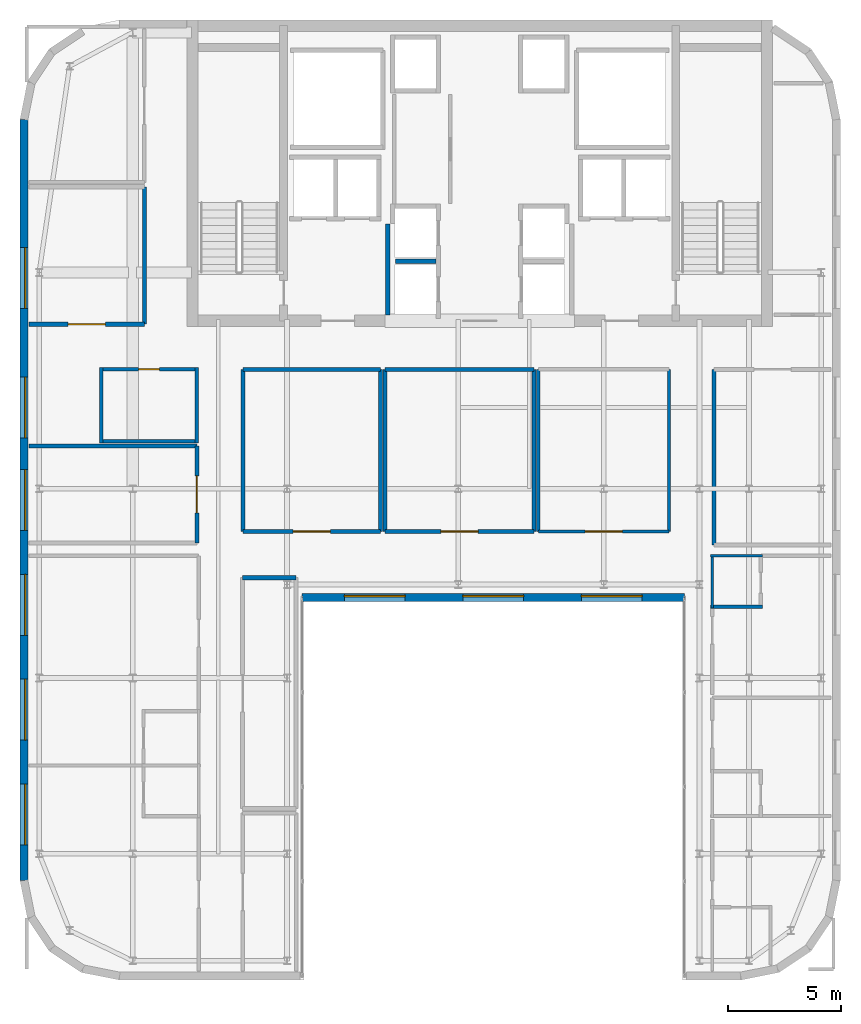
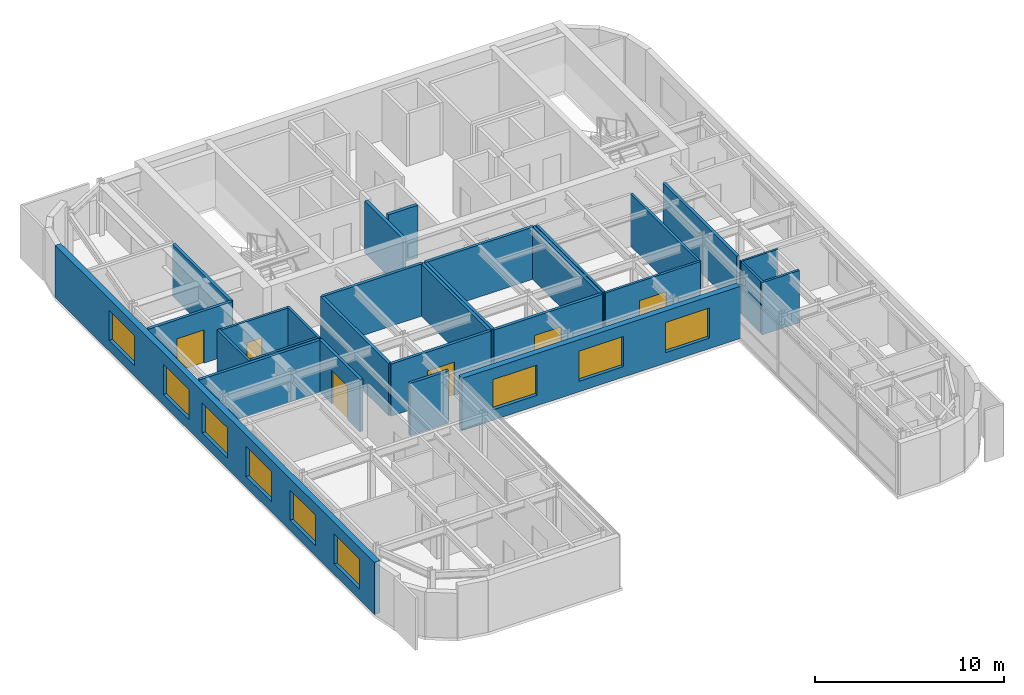
# One storey, part 14 of 18: 28 walls, 9 windows, 6 doors, 15 openings.
"""IFC4 building model written with IfcOpenShell, lengths in metres."""

import ifcopenshell
import ifcopenshell.guid

model = None  # the IFC model being written
_history = None  # IfcOwnerHistory: only IFC2X3 demands one
_inside = {}  # id of a spatial element -> (the spatial element, [elements in it])
_under = {}  # id of a project, library or spatial element -> (it, [spatial elements below it])
_declared = {}  # id of a project -> (the project, [libraries it declares])
_typed = {}  # id of a type object -> (the type object, [elements of that type])
_made_of = {}  # id of a material, layer set ... -> (it, [elements and type objects made of it])


def new_model(schema):
    """Start an empty IFC model of exactly this schema.

    Asked for "IFC4X3", IfcOpenShell would pick the latest addendum, in which some entities
    have other attributes; the version numbers below select the first issue.
    IFC2X3 requires an IfcOwnerHistory on every rooted entity: one is made here for all.
    """
    global model, _history
    if schema == "IFC4X3":
        model = ifcopenshell.file(schema_version=(4, 3, 0, 0))
    else:
        model = ifcopenshell.file(schema=schema)
    _inside.clear()
    _under.clear()
    _declared.clear()
    _typed.clear()
    _made_of.clear()
    _history = None
    if model.schema == "IFC2X3":
        org = make("IfcOrganization", Name="unknown")
        user = make(
            "IfcPersonAndOrganization",
            ThePerson=make("IfcPerson", FamilyName="unknown"),
            TheOrganization=org,
        )
        app = make(
            "IfcApplication",
            ApplicationDeveloper=org,
            Version="unknown",
            ApplicationFullName="unknown",
            ApplicationIdentifier="unknown",
        )
        _history = make(
            "IfcOwnerHistory",
            OwningUser=user,
            OwningApplication=app,
            ChangeAction="ADDED",
            CreationDate=0,
        )
    return model


def make(cls, **values):
    """One entity of the class cls with the attributes given. An attribute that is None is left unset."""
    return model.create_entity(
        cls, **{name: value for name, value in values.items() if value is not None}
    )


def rooted(cls, **values):
    """An entity with a GlobalId (a new one), such as an element, a storey or a relation."""
    return make(cls, GlobalId=ifcopenshell.guid.new(), OwnerHistory=_history, **values)


def si_unit(unit_type, name, prefix=None):
    """IfcSIUnit, for example si_unit("LENGTHUNIT", "METRE", prefix="MILLI")."""
    return make("IfcSIUnit", UnitType=unit_type, Prefix=prefix, Name=name)


def assignment(units):
    """IfcUnitAssignment: the units of a project."""
    return None if units is None else make("IfcUnitAssignment", Units=units)


def point(xyz):
    """IfcCartesianPoint."""
    return None if xyz is None else make("IfcCartesianPoint", Coordinates=xyz)


def direction(xyz):
    """IfcDirection."""
    return None if xyz is None else make("IfcDirection", DirectionRatios=xyz)


def frame(location, z_axis=None, x_axis=None):
    """IfcAxis2Placement3D, a coordinate frame: its origin and axes. An axis left out is left unset."""
    return make(
        "IfcAxis2Placement3D",
        Location=point(location),
        Axis=direction(z_axis),
        RefDirection=direction(x_axis),
    )


def frame_2d(location, x_axis=None):
    """IfcAxis2Placement2D, a coordinate frame in the plane: its origin and x axis."""
    return make(
        "IfcAxis2Placement2D", Location=point(location), RefDirection=direction(x_axis)
    )


def origin():
    """The frame at (0, 0, 0) with its axes left unset."""
    return frame((0.0, 0.0, 0.0))


def place(relative_to, where):
    """IfcLocalPlacement: puts the frame where relative to a parent placement (None: the world)."""
    return make(
        "IfcLocalPlacement", PlacementRelTo=relative_to, RelativePlacement=where
    )


def context(
    kind, dimensions, precision=None, world=None, true_north=None, identifier=None
):
    """IfcGeometricRepresentationContext, for example the 3D "Model" context."""
    return make(
        "IfcGeometricRepresentationContext",
        ContextIdentifier=identifier,
        ContextType=kind,
        CoordinateSpaceDimension=dimensions,
        Precision=precision,
        WorldCoordinateSystem=world,
        TrueNorth=true_north,
    )


def subcontext(parent, identifier, kind, view, scale=None):
    """IfcGeometricRepresentationSubContext, for example "Body" below "Model"."""
    return make(
        "IfcGeometricRepresentationSubContext",
        ContextIdentifier=identifier,
        ContextType=kind,
        ParentContext=parent,
        TargetScale=scale,
        TargetView=view,
    )


def project(units=None, contexts=None):
    """IfcProject with its units and contexts."""
    return rooted(
        "IfcProject",
        Name="project",
        RepresentationContexts=contexts,
        UnitsInContext=assignment(units),
    )


def spatial(cls, under=None, at=None, **own):
    """A site, building, storey or space (cls), placed at a placement, below another one or the project."""
    s = rooted(cls, ObjectPlacement=at, **own)
    if under is not None:
        _under.setdefault(under.id(), (under, []))[1].append(s)
    return s


def profile(cls, at=None, kind="AREA", **sizes):
    """A parametric profile (cls). Its sizes go by their IFC names, for example OverallWidth=200.0."""
    return make(cls, ProfileType=kind, Position=at, **sizes)


def rectangle(**sizes):
    """IfcRectangleProfileDef."""
    return profile("IfcRectangleProfileDef", **sizes)


def extrude(swept, where, along, depth):
    """IfcExtrudedAreaSolid: the profile swept, set in the frame where, extruded along a direction by depth."""
    return make(
        "IfcExtrudedAreaSolid",
        SweptArea=swept,
        Position=where,
        ExtrudedDirection=direction(along),
        Depth=depth,
    )


def shape(context_of_items, identifier, shape_type, items):
    """IfcShapeRepresentation: the items that make up one representation, for example the "Body"."""
    return make(
        "IfcShapeRepresentation",
        ContextOfItems=context_of_items,
        RepresentationIdentifier=identifier,
        RepresentationType=shape_type,
        Items=items,
    )


def source(mapping_origin, context_of_items, identifier, shape_type, items):
    """IfcRepresentationMap: a shape defined once, which mapped items show again and again."""
    return make(
        "IfcRepresentationMap",
        MappingOrigin=mapping_origin,
        MappedRepresentation=shape(context_of_items, identifier, shape_type, items),
    )


def transform(
    local_origin,
    x_axis=None,
    y_axis=None,
    z_axis=None,
    scale=None,
    scale2=None,
    scale3=None,
    uniform=True,
):
    """IfcCartesianTransformationOperator3D, or its non-uniform kind. x_axis, y_axis, z_axis: its Axis1, 2, 3."""
    if uniform:
        return make(
            "IfcCartesianTransformationOperator3D",
            Axis1=direction(x_axis),
            Axis2=direction(y_axis),
            LocalOrigin=point(local_origin),
            Scale=scale,
            Axis3=direction(z_axis),
        )
    return make(
        "IfcCartesianTransformationOperator3DnonUniform",
        Axis1=direction(x_axis),
        Axis2=direction(y_axis),
        LocalOrigin=point(local_origin),
        Scale=scale,
        Axis3=direction(z_axis),
        Scale2=scale2,
        Scale3=scale3,
    )


def mapped(mapping_source, mapping_target):
    """IfcMappedItem: shows the shape of a source again, moved by a transform."""
    return make(
        "IfcMappedItem", MappingSource=mapping_source, MappingTarget=mapping_target
    )


def material(Name=None, Category=None):
    """IfcMaterial."""
    return make("IfcMaterial", Name=Name, Category=Category)


def layer(
    of_material, thickness, ventilated=None, Name=None, Category=None, Priority=None
):
    """IfcMaterialLayer: one layer of a wall or slab, of a material (None: an air gap)."""
    return make(
        "IfcMaterialLayer",
        Material=of_material,
        LayerThickness=thickness,
        IsVentilated=ventilated,
        Name=Name,
        Category=Category,
        Priority=Priority,
    )


def layer_set(layers, Name=None):
    """IfcMaterialLayerSet."""
    return make("IfcMaterialLayerSet", MaterialLayers=layers, LayerSetName=Name)


def made_of(thing, what):
    """Note that an element or type object is made of a material, layer set ...; save() writes the relation."""
    if what is not None:
        _made_of.setdefault(what.id(), (what, []))[1].append(thing)
    return thing


def type_object(cls, material=None, **own):
    """A type object (cls), such as IfcWallType, which elements share."""
    return made_of(rooted(cls, **own), material)


def type_shapes(of_type, sources):
    """Give a type object the sources (RepresentationMaps) that its elements show as mapped items."""
    of_type.RepresentationMaps = sources


def element(
    cls,
    number,
    at=None,
    inside=None,
    cuts=None,
    type_object=None,
    material=None,
    context=None,
    identifier="Body",
    shape_type=None,
    held_by="IfcProductDefinitionShape",
    body=None,
    shapes=None,
    **own,
):
    """One element of the class cls, such as IfcWall. Its Tag is "e" and its number.

    at: its placement. inside: the storey or other place that contains it. cuts: it is an
    opening in that element (IfcRelVoidsElement). A single representation is given by context,
    identifier, shape_type and body (its items); several are given by shapes. held_by: the class
    of the entity that holds the representations. save() writes the other relations.
    """
    e = rooted(cls, Tag="e%d" % number, ObjectPlacement=at, **own)
    if body is not None:
        shapes = [shape(context, identifier, shape_type, body)]
    if shapes is not None:
        e.Representation = make(held_by, Representations=shapes)
    if inside is not None:
        _inside.setdefault(inside.id(), (inside, []))[1].append(e)
    if cuts is not None:
        rooted(
            "IfcRelVoidsElement", RelatingBuildingElement=cuts, RelatedOpeningElement=e
        )
    if type_object is not None:
        _typed.setdefault(type_object.id(), (type_object, []))[1].append(e)
    return made_of(e, material)


def fill(opening, filler):
    """IfcRelFillsElement: the door or window that sits in an opening."""
    return rooted(
        "IfcRelFillsElement",
        RelatingOpeningElement=opening,
        RelatedBuildingElement=filler,
    )


def aggregate(whole, parts):
    """IfcRelAggregates: a whole, such as a stair, and the parts it consists of."""
    return rooted("IfcRelAggregates", RelatingObject=whole, RelatedObjects=parts)


def save(model, path):
    """Write the relations noted so far, then the file.

    IfcRelAggregates (storeys below a building ...), IfcRelContainedInSpatialStructure (elements
    in a storey), IfcRelDefinesByType, IfcRelAssociatesMaterial and IfcRelDeclares: one each for
    every whole, place, type object, material and project.
    """
    for whole, parts in _under.values():
        aggregate(whole, parts)
    for where, things in _inside.values():
        rooted(
            "IfcRelContainedInSpatialStructure",
            RelatedElements=things,
            RelatingStructure=where,
        )
    for kind, things in _typed.values():
        rooted("IfcRelDefinesByType", RelatedObjects=things, RelatingType=kind)
    for what, things in _made_of.values():
        rooted("IfcRelAssociatesMaterial", RelatedObjects=things, RelatingMaterial=what)
    for by, libraries in _declared.values():
        rooted("IfcRelDeclares", RelatingContext=by, RelatedDefinitions=libraries)
    model.write(path)


model = new_model("IFC4")

# Units and contexts
model_context = context("Model", 3, precision=1e-05, world=origin(), true_north=direction((0.0, 1.0)))
body_context = subcontext(model_context, "Body", "Model", "MODEL_VIEW")
ifc_project = project(units=[si_unit("LENGTHUNIT", "METRE"), si_unit("AREAUNIT", "SQUARE_METRE"), si_unit("VOLUMEUNIT", "CUBIC_METRE"), si_unit("PLANEANGLEUNIT", "RADIAN"), si_unit("MASSUNIT", "GRAM", prefix="KILO")], contexts=[model_context])

# Site, building, storey
site_placement = place(None, origin())
site = spatial("IfcSite", under=ifc_project, at=site_placement, CompositionType="ELEMENT")
building_placement = place(site_placement, origin())
building = spatial("IfcBuilding", under=site, at=building_placement, Name="Tolvann Quenvar Hotel", CompositionType="ELEMENT")
storey_placement = place(building_placement, frame((0.0, 0.0, 252.300048828125)))
storey = spatial("IfcBuildingStorey", under=building, at=storey_placement, Name="L67", CompositionType="ELEMENT", Elevation=252.300048828125)

# Wall, openings, windows
ifc_material_1 = material(Name="Kiln-fired red and buff architectural clay brickwork and terracotta masonry", Category="masonry")
ifc_layer_1 = layer(ifc_material_1, 0.35009765625)
ifc_layer_set_1 = layer_set([ifc_layer_1], Name="Kiln-fired red and buff architectural clay brickwork and terracotta masonry")
wall_type_1 = type_object("IfcWallType", Name="WALL_EXT_BRICK_350", PredefinedType="SOLIDWALL", material=ifc_layer_set_1)
wall_1_placement = place(storey_placement, frame((15.110107421875, 19.574951171875, 0.0), z_axis=(0.0, 0.0, 1.0), x_axis=(1.0, 0.0, 0.0)))
wall_1 = element("IfcWall", 1, at=wall_1_placement, inside=storey, type_object=wall_type_1, Name="Exterior Chicago Brick Wall L67-E06", PredefinedType="SOLIDWALL", context=body_context, shape_type="SweptSolid", body=[
    extrude(rectangle(XDim=16.97998046875, YDim=0.35009765625, at=frame_2d((8.489990234375, 0.0))), origin(), (0.0, 0.0, 1.0), 3.369873046875),
])
opening_1_placement = place(wall_1_placement, frame((1.8798828125, 0.0, 0.679931640625)))
opening_1 = element("IfcOpeningElement", 2, at=opening_1_placement, cuts=wall_1, Name="Opening W-04", PredefinedType="OPENING", context=body_context, shape_type="SweptSolid", body=[
    extrude(rectangle(XDim=2.699951171875, YDim=1.949951171875, at=frame_2d((1.35009765625, 0.97509765625))), frame((0.0, 0.18505859375, 0.0), z_axis=(0.0, -1.0, 0.0), x_axis=(1.0, 0.0, 0.0)), (0.0, 0.0, 1.0), 0.3701171875),
])
opening_2_placement = place(wall_1_placement, frame((7.139892578125, 0.0, 0.679931640625)))
opening_2 = element("IfcOpeningElement", 3, at=opening_2_placement, cuts=wall_1, Name="Opening W-04", PredefinedType="OPENING", context=body_context, shape_type="SweptSolid", body=[
    extrude(rectangle(XDim=2.699951171875, YDim=1.949951171875, at=frame_2d((1.35009765625, 0.97509765625))), frame((0.0, 0.18505859375, 0.0), z_axis=(0.0, -1.0, 0.0), x_axis=(1.0, 0.0, 0.0)), (0.0, 0.0, 1.0), 0.3701171875),
])
opening_3_placement = place(wall_1_placement, frame((12.39990234375, 0.0, 0.679931640625)))
opening_3 = element("IfcOpeningElement", 4, at=opening_3_placement, cuts=wall_1, Name="Opening W-04", PredefinedType="OPENING", context=body_context, shape_type="SweptSolid", body=[
    extrude(rectangle(XDim=2.699951171875, YDim=1.949951171875, at=frame_2d((1.35009765625, 0.97509765625))), frame((0.0, 0.18505859375, 0.0), z_axis=(0.0, -1.0, 0.0), x_axis=(1.0, 0.0, 0.0)), (0.0, 0.0, 1.0), 0.3701171875),
])
ifc_material_2 = material(Name="Thermally broken bronze-anodised aluminium frame with double low-E glazing", Category="aluminium")
window_type = type_object("IfcWindowType", Name="WIN_STE_2700x2150", PartitioningType="TRIPLE_PANEL_HORIZONTAL", PredefinedType="WINDOW", material=ifc_material_2)
shared_shape_1 = source(origin(), body_context, "Body", "SweptSolid", [
    extrude(rectangle(XDim=2.699951171875, YDim=1.949951171875, at=frame_2d((1.35009765625, 0.97509765625))), frame((0.0, 0.090087890625, 0.0), z_axis=(0.0, -1.0, 0.0), x_axis=(1.0, 0.0, 0.0)), (0.0, 0.0, 1.0), 0.06005859375),
])
type_shapes(window_type, [shared_shape_1])
window_1_placement = place(opening_1_placement, origin())
window_1 = element("IfcWindow", 5, at=window_1_placement, inside=storey, type_object=window_type, Name="Chicago Window W-04 (EW-L67-E06-W01)", OverallHeight=1.949951171875, OverallWidth=2.699951171875, PartitioningType="TRIPLE_PANEL_HORIZONTAL", PredefinedType="WINDOW", context=body_context, shape_type="MappedRepresentation", body=[
    mapped(shared_shape_1, transform((0.0, 0.0, 0.0), x_axis=(1.0, 0.0, 0.0), y_axis=(0.0, 1.0, 0.0), z_axis=(0.0, 0.0, 1.0), scale=1.0)),
])
fill(opening_1, window_1)
window_2_placement = place(opening_2_placement, origin())
window_2 = element("IfcWindow", 6, at=window_2_placement, inside=storey, type_object=window_type, Name="Chicago Window W-04 (EW-L67-E06-W02)", OverallHeight=1.949951171875, OverallWidth=2.699951171875, PartitioningType="TRIPLE_PANEL_HORIZONTAL", PredefinedType="WINDOW", context=body_context, shape_type="MappedRepresentation", body=[
    mapped(shared_shape_1, transform((0.0, 0.0, 0.0), x_axis=(1.0, 0.0, 0.0), y_axis=(0.0, 1.0, 0.0), z_axis=(0.0, 0.0, 1.0), scale=1.0)),
])
fill(opening_2, window_2)
window_3_placement = place(opening_3_placement, origin())
window_3 = element("IfcWindow", 7, at=window_3_placement, inside=storey, type_object=window_type, Name="Chicago Window W-04 (EW-L67-E06-W03)", OverallHeight=1.949951171875, OverallWidth=2.699951171875, PartitioningType="TRIPLE_PANEL_HORIZONTAL", PredefinedType="WINDOW", context=body_context, shape_type="MappedRepresentation", body=[
    mapped(shared_shape_1, transform((0.0, 0.0, 0.0), x_axis=(1.0, 0.0, 0.0), y_axis=(0.0, 1.0, 0.0), z_axis=(0.0, 0.0, 1.0), scale=1.0)),
])
fill(opening_3, window_3)

wall_2_placement = place(storey_placement, frame((2.77490234375, 40.78271484375, 0.0), z_axis=(0.0, 0.0, 1.0), x_axis=(0.0, -1.0, 0.0)))
wall_2 = element("IfcWall", 8, at=wall_2_placement, inside=storey, type_object=wall_type_1, Name="Exterior Chicago Brick Wall L67-E23", PredefinedType="SOLIDWALL", context=body_context, shape_type="SweptSolid", body=[
    extrude(rectangle(XDim=33.765625, YDim=0.35009765625, at=frame_2d((16.8828125, 0.0))), origin(), (0.0, 0.0, 1.0), 3.369873046875),
])
opening_4_placement = place(wall_2_placement, frame((5.677978515625, 0.0, 0.679931640625)))
opening_4 = element("IfcOpeningElement", 9, at=opening_4_placement, cuts=wall_2, Name="Opening W-04", PredefinedType="OPENING", context=body_context, shape_type="SweptSolid", body=[
    extrude(rectangle(XDim=2.699951171875, YDim=1.949951171875, at=frame_2d((1.35009765625, 0.97509765625))), frame((0.0, 0.18505859375, 0.0), z_axis=(0.0, -1.0, 0.0), x_axis=(1.0, 0.0, 0.0)), (0.0, 0.0, 1.0), 0.3701171875),
])
opening_5_placement = place(wall_2_placement, frame((11.430908203125, 0.0, 0.679931640625)))
opening_5 = element("IfcOpeningElement", 10, at=opening_5_placement, cuts=wall_2, Name="Opening W-04", PredefinedType="OPENING", context=body_context, shape_type="SweptSolid", body=[
    extrude(rectangle(XDim=2.699951171875, YDim=1.949951171875, at=frame_2d((1.35009765625, 0.97509765625))), frame((0.0, 0.18505859375, 0.0), z_axis=(0.0, -1.0, 0.0), x_axis=(1.0, 0.0, 0.0)), (0.0, 0.0, 1.0), 0.3701171875),
])
opening_6_placement = place(wall_2_placement, frame((15.532958984375, 0.0, 0.679931640625)))
opening_6 = element("IfcOpeningElement", 11, at=opening_6_placement, cuts=wall_2, Name="Opening W-04", PredefinedType="OPENING", context=body_context, shape_type="SweptSolid", body=[
    extrude(rectangle(XDim=2.699951171875, YDim=1.949951171875, at=frame_2d((1.35009765625, 0.97509765625))), frame((0.0, 0.18505859375, 0.0), z_axis=(0.0, -1.0, 0.0), x_axis=(1.0, 0.0, 0.0)), (0.0, 0.0, 1.0), 0.3701171875),
])
opening_7_placement = place(wall_2_placement, frame((20.18505859375, 0.0, 0.679931640625)))
opening_7 = element("IfcOpeningElement", 12, at=opening_7_placement, cuts=wall_2, Name="Opening W-04", PredefinedType="OPENING", context=body_context, shape_type="SweptSolid", body=[
    extrude(rectangle(XDim=2.699951171875, YDim=1.949951171875, at=frame_2d((1.35009765625, 0.97509765625))), frame((0.0, 0.18505859375, 0.0), z_axis=(0.0, -1.0, 0.0), x_axis=(1.0, 0.0, 0.0)), (0.0, 0.0, 1.0), 0.3701171875),
])
opening_8_placement = place(wall_2_placement, frame((24.8369140625, 0.0, 0.679931640625)))
opening_8 = element("IfcOpeningElement", 13, at=opening_8_placement, cuts=wall_2, Name="Opening W-04", PredefinedType="OPENING", context=body_context, shape_type="SweptSolid", body=[
    extrude(rectangle(XDim=2.699951171875, YDim=1.949951171875, at=frame_2d((1.35009765625, 0.97509765625))), frame((0.0, 0.18505859375, 0.0), z_axis=(0.0, -1.0, 0.0), x_axis=(1.0, 0.0, 0.0)), (0.0, 0.0, 1.0), 0.3701171875),
])
opening_9_placement = place(wall_2_placement, frame((29.489013671875, 0.0, 0.679931640625)))
opening_9 = element("IfcOpeningElement", 14, at=opening_9_placement, cuts=wall_2, Name="Opening W-04", PredefinedType="OPENING", context=body_context, shape_type="SweptSolid", body=[
    extrude(rectangle(XDim=2.699951171875, YDim=1.949951171875, at=frame_2d((1.35009765625, 0.97509765625))), frame((0.0, 0.18505859375, 0.0), z_axis=(0.0, -1.0, 0.0), x_axis=(1.0, 0.0, 0.0)), (0.0, 0.0, 1.0), 0.3701171875),
])
window_4_placement = place(opening_4_placement, origin())
window_4 = element("IfcWindow", 15, at=window_4_placement, inside=storey, type_object=window_type, Name="Chicago Window W-04 (EW-L67-E23-W01)", OverallHeight=1.949951171875, OverallWidth=2.699951171875, PartitioningType="TRIPLE_PANEL_HORIZONTAL", PredefinedType="WINDOW", context=body_context, shape_type="MappedRepresentation", body=[
    mapped(shared_shape_1, transform((0.0, 0.0, 0.0), x_axis=(1.0, 0.0, 0.0), y_axis=(0.0, 1.0, 0.0), z_axis=(0.0, 0.0, 1.0), scale=1.0)),
])
fill(opening_4, window_4)
window_5_placement = place(opening_5_placement, origin())
window_5 = element("IfcWindow", 16, at=window_5_placement, inside=storey, type_object=window_type, Name="Chicago Window W-04 (EW-L67-E23-W02)", OverallHeight=1.949951171875, OverallWidth=2.699951171875, PartitioningType="TRIPLE_PANEL_HORIZONTAL", PredefinedType="WINDOW", context=body_context, shape_type="MappedRepresentation", body=[
    mapped(shared_shape_1, transform((0.0, 0.0, 0.0), x_axis=(1.0, 0.0, 0.0), y_axis=(0.0, 1.0, 0.0), z_axis=(0.0, 0.0, 1.0), scale=1.0)),
])
fill(opening_5, window_5)
window_6_placement = place(opening_6_placement, origin())
window_6 = element("IfcWindow", 17, at=window_6_placement, inside=storey, type_object=window_type, Name="Chicago Window W-04 (EW-L67-E23-W03)", OverallHeight=1.949951171875, OverallWidth=2.699951171875, PartitioningType="TRIPLE_PANEL_HORIZONTAL", PredefinedType="WINDOW", context=body_context, shape_type="MappedRepresentation", body=[
    mapped(shared_shape_1, transform((0.0, 0.0, 0.0), x_axis=(1.0, 0.0, 0.0), y_axis=(0.0, 1.0, 0.0), z_axis=(0.0, 0.0, 1.0), scale=1.0)),
])
fill(opening_6, window_6)
window_7_placement = place(opening_7_placement, origin())
window_7 = element("IfcWindow", 18, at=window_7_placement, inside=storey, type_object=window_type, Name="Chicago Window W-04 (EW-L67-E23-W04)", OverallHeight=1.949951171875, OverallWidth=2.699951171875, PartitioningType="TRIPLE_PANEL_HORIZONTAL", PredefinedType="WINDOW", context=body_context, shape_type="MappedRepresentation", body=[
    mapped(shared_shape_1, transform((0.0, 0.0, 0.0), x_axis=(1.0, 0.0, 0.0), y_axis=(0.0, 1.0, 0.0), z_axis=(0.0, 0.0, 1.0), scale=1.0)),
])
fill(opening_7, window_7)
window_8_placement = place(opening_8_placement, origin())
window_8 = element("IfcWindow", 19, at=window_8_placement, inside=storey, type_object=window_type, Name="Chicago Window W-04 (EW-L67-E23-W05)", OverallHeight=1.949951171875, OverallWidth=2.699951171875, PartitioningType="TRIPLE_PANEL_HORIZONTAL", PredefinedType="WINDOW", context=body_context, shape_type="MappedRepresentation", body=[
    mapped(shared_shape_1, transform((0.0, 0.0, 0.0), x_axis=(1.0, 0.0, 0.0), y_axis=(0.0, 1.0, 0.0), z_axis=(0.0, 0.0, 1.0), scale=1.0)),
])
fill(opening_8, window_8)
window_9_placement = place(opening_9_placement, origin())
window_9 = element("IfcWindow", 20, at=window_9_placement, inside=storey, type_object=window_type, Name="Chicago Window W-04 (EW-L67-E23-W06)", OverallHeight=1.949951171875, OverallWidth=2.699951171875, PartitioningType="TRIPLE_PANEL_HORIZONTAL", PredefinedType="WINDOW", context=body_context, shape_type="MappedRepresentation", body=[
    mapped(shared_shape_1, transform((0.0, 0.0, 0.0), x_axis=(1.0, 0.0, 0.0), y_axis=(0.0, 1.0, 0.0), z_axis=(0.0, 0.0, 1.0), scale=1.0)),
])
fill(opening_9, window_9)

# Wall
ifc_material_3 = material(Name="Acoustic twin-stud fire-rated gypsum plasterboard partition")
ifc_layer_2 = layer(ifc_material_3, 0.179931640625)
ifc_layer_set_2 = layer_set([ifc_layer_2], Name="Acoustic twin-stud fire-rated gypsum plasterboard partition")
wall_type_2 = type_object("IfcWallType", Name="WALL_PART_ACOUSTIC_180", PredefinedType="PARTITIONING", material=ifc_layer_set_2)
wall_3_placement = place(storey_placement, frame((12.47998046875, 20.449951171875, 0.0), z_axis=(0.0, 0.0, 1.0), x_axis=(1.0, 0.0, 0.0)))
element("IfcWall", 21, at=wall_3_placement, inside=storey, type_object=wall_type_2, Name="Interior Partition PT-SPC-L67-POVL-N", PredefinedType="PARTITIONING", context=body_context, shape_type="SweptSolid", body=[
    extrude(rectangle(XDim=2.3701171875, YDim=0.179931640625, at=frame_2d((1.18505859375, 0.0))), origin(), (0.0, 0.0, 1.0), 3.369873046875),
])

# Wall, opening, door
wall_4_placement = place(storey_placement, frame((12.5, 22.5, 0.0), z_axis=(0.0, 0.0, 1.0), x_axis=(1.0, 0.0, 0.0)))
wall_4 = element("IfcWall", 22, at=wall_4_placement, inside=storey, type_object=wall_type_2, Name="Interior Partition PT-SPC-L67-PCNTR1-S", PredefinedType="PARTITIONING", context=body_context, shape_type="SweptSolid", body=[
    extrude(rectangle(XDim=6.10009765625, YDim=0.179931640625, at=frame_2d((3.050048828125, 0.0))), origin(), (0.0, 0.0, 1.0), 3.369873046875),
])
opening_10_placement = place(wall_4_placement, frame((2.22509765625, 0.0, 0.0)))
opening_10 = element("IfcOpeningElement", 23, at=opening_10_placement, cuts=wall_4, Name="Opening AD-01", PredefinedType="OPENING", context=body_context, shape_type="SweptSolid", body=[
    extrude(rectangle(XDim=1.64990234375, YDim=2.14990234375, at=frame_2d((0.824951171875, 1.074951171875))), frame((0.0, 0.10009765625, 0.0), z_axis=(0.0, -1.0, 0.0), x_axis=(1.0, 0.0, 0.0)), (0.0, 0.0, 1.0), 0.199951171875),
])
ifc_material_4 = material(Name="Solid-core American oak acoustic fire door leaf in steel frame", Category="steel")
door_type_1 = type_object("IfcDoorType", Name="DOOR_SALON_1650", OperationType="NOTDEFINED", PredefinedType="DOOR", material=ifc_material_4)
shared_shape_2 = source(origin(), body_context, "Body", "SweptSolid", [
    extrude(rectangle(XDim=1.64990234375, YDim=2.14990234375, at=frame_2d((0.824951171875, 1.074951171875))), frame((0.0, 0.02490234375, 0.0), z_axis=(0.0, -1.0, 0.0), x_axis=(1.0, 0.0, 0.0)), (0.0, 0.0, 1.0), 0.050048828125),
])
type_shapes(door_type_1, [shared_shape_2])
door_1_placement = place(opening_10_placement, origin())
door_1 = element("IfcDoor", 24, at=door_1_placement, inside=storey, type_object=door_type_1, Name="Interior Door DOOR-SPC-L67-PCNTR1", OperationType="DOUBLE_DOOR_SINGLE_SWING", OverallHeight=2.14990234375, OverallWidth=1.64990234375, PredefinedType="DOOR", context=body_context, shape_type="MappedRepresentation", body=[
    mapped(shared_shape_2, transform((0.0, 0.0, 0.0), x_axis=(1.0, 0.0, 0.0), y_axis=(0.0, 1.0, 0.0), z_axis=(0.0, 0.0, 1.0), scale=1.0)),
])
fill(opening_10, door_1)

# Walls
wall_5_placement = place(storey_placement, frame((12.5, 29.699951171875, 0.0), z_axis=(0.0, 0.0, 1.0), x_axis=(1.0, 0.0, 0.0)))
element("IfcWall", 25, at=wall_5_placement, inside=storey, type_object=wall_type_2, Name="Interior Partition PT-SPC-L67-PCNTR1-N", PredefinedType="PARTITIONING", context=body_context, shape_type="SweptSolid", body=[
    extrude(rectangle(XDim=6.10009765625, YDim=0.179931640625, at=frame_2d((3.050048828125, 0.0))), origin(), (0.0, 0.0, 1.0), 3.369873046875),
])
for number, where, z_axis, x_axis, name in (
    (26, (12.5, 22.5, 0.0), (0.0, 0.0, 1.0), (0.0, 1.0, 0.0), "Interior Partition PT-SPC-L67-PCNTR1-W"),
    (27, (18.60009765625, 22.5, 0.0), (0.0, 0.0, 1.0), (0.0, 1.0, 0.0), "Interior Partition PT-SPC-L67-PCNTR1-E"),
):
    element("IfcWall", number, at=place(storey_placement, frame(where, z_axis=z_axis, x_axis=x_axis)), inside=storey, type_object=wall_type_2, Name=name, PredefinedType="PARTITIONING", context=body_context, shape_type="SweptSolid", body=[
        extrude(rectangle(XDim=7.199951171875, YDim=0.179931640625, at=frame_2d((3.60009765625, 0.0))), origin(), (0.0, 0.0, 1.0), 3.369873046875),
    ])

# Wall, opening, door
wall_6_placement = place(storey_placement, frame((18.800048828125, 22.5, 0.0), z_axis=(0.0, 0.0, 1.0), x_axis=(1.0, 0.0, 0.0)))
wall_6 = element("IfcWall", 28, at=wall_6_placement, inside=storey, type_object=wall_type_2, Name="Interior Partition PT-SPC-L67-PCNTR2-S", PredefinedType="PARTITIONING", context=body_context, shape_type="SweptSolid", body=[
    extrude(rectangle(XDim=6.599853515625, YDim=0.179931640625, at=frame_2d((3.2998046875, 0.0))), origin(), (0.0, 0.0, 1.0), 3.369873046875),
])
opening_11_placement = place(wall_6_placement, frame((2.47509765625, 0.0, 0.0)))
opening_11 = element("IfcOpeningElement", 29, at=opening_11_placement, cuts=wall_6, Name="Opening AD-01", PredefinedType="OPENING", context=body_context, shape_type="SweptSolid", body=[
    extrude(rectangle(XDim=1.64990234375, YDim=2.14990234375, at=frame_2d((0.824951171875, 1.074951171875))), frame((0.0, 0.10009765625, 0.0), z_axis=(0.0, -1.0, 0.0), x_axis=(1.0, 0.0, 0.0)), (0.0, 0.0, 1.0), 0.199951171875),
])
door_2_placement = place(opening_11_placement, origin())
door_2 = element("IfcDoor", 30, at=door_2_placement, inside=storey, type_object=door_type_1, Name="Interior Door DOOR-SPC-L67-PCNTR2", OperationType="DOUBLE_DOOR_SINGLE_SWING", OverallHeight=2.14990234375, OverallWidth=1.64990234375, PredefinedType="DOOR", context=body_context, shape_type="MappedRepresentation", body=[
    mapped(shared_shape_2, transform((0.0, 0.0, 0.0), x_axis=(1.0, 0.0, 0.0), y_axis=(0.0, 1.0, 0.0), z_axis=(0.0, 0.0, 1.0), scale=1.0)),
])
fill(opening_11, door_2)

# Walls
wall_7_placement = place(storey_placement, frame((18.800048828125, 29.699951171875, 0.0), z_axis=(0.0, 0.0, 1.0), x_axis=(1.0, 0.0, 0.0)))
element("IfcWall", 31, at=wall_7_placement, inside=storey, type_object=wall_type_2, Name="Interior Partition PT-SPC-L67-PCNTR2-N", PredefinedType="PARTITIONING", context=body_context, shape_type="SweptSolid", body=[
    extrude(rectangle(XDim=6.599853515625, YDim=0.179931640625, at=frame_2d((3.2998046875, 0.0))), origin(), (0.0, 0.0, 1.0), 3.369873046875),
])
for number, where, z_axis, x_axis, name in (
    (32, (18.800048828125, 22.5, 0.0), (0.0, 0.0, 1.0), (0.0, 1.0, 0.0), "Interior Partition PT-SPC-L67-PCNTR2-W"),
    (33, (25.39990234375, 22.5, 0.0), (0.0, 0.0, 1.0), (0.0, 1.0, 0.0), "Interior Partition PT-SPC-L67-PCNTR2-E"),
):
    element("IfcWall", number, at=place(storey_placement, frame(where, z_axis=z_axis, x_axis=x_axis)), inside=storey, type_object=wall_type_2, Name=name, PredefinedType="PARTITIONING", context=body_context, shape_type="SweptSolid", body=[
        extrude(rectangle(XDim=7.199951171875, YDim=0.179931640625, at=frame_2d((3.60009765625, 0.0))), origin(), (0.0, 0.0, 1.0), 3.369873046875),
    ])
wall_8_placement = place(storey_placement, frame((3.0048828125, 26.300048828125, 0.0), z_axis=(0.0, 0.0, 1.0), x_axis=(1.0, 0.0, 0.0)))
element("IfcWall", 34, at=wall_8_placement, inside=storey, type_object=wall_type_2, Name="Interior Partition PT-SPC-L67-WCLNG-N", PredefinedType="PARTITIONING", context=body_context, shape_type="SweptSolid", body=[
    extrude(rectangle(XDim=7.445068359375, YDim=0.179931640625, at=frame_2d((3.72265625, 0.0))), origin(), (0.0, 0.0, 1.0), 3.369873046875),
])

# Wall, opening, door
wall_9_placement = place(storey_placement, frame((10.449951171875, 22.0, 0.0), z_axis=(0.0, 0.0, 1.0), x_axis=(0.0, 1.0, 0.0)))
wall_9 = element("IfcWall", 35, at=wall_9_placement, inside=storey, type_object=wall_type_2, Name="Interior Partition PT-SPC-L67-WCLNG-E", PredefinedType="PARTITIONING", context=body_context, shape_type="SweptSolid", body=[
    extrude(rectangle(XDim=4.300048828125, YDim=0.179931640625, at=frame_2d((2.14990234375, 0.0))), origin(), (0.0, 0.0, 1.0), 3.369873046875),
])
opening_12_placement = place(wall_9_placement, frame((1.324951171875, 0.0, 0.0)))
opening_12 = element("IfcOpeningElement", 36, at=opening_12_placement, cuts=wall_9, Name="Opening AD-01", PredefinedType="OPENING", context=body_context, shape_type="SweptSolid", body=[
    extrude(rectangle(XDim=1.64990234375, YDim=2.14990234375, at=frame_2d((0.824951171875, 1.074951171875))), frame((0.0, 0.10009765625, 0.0), z_axis=(0.0, -1.0, 0.0), x_axis=(1.0, 0.0, 0.0)), (0.0, 0.0, 1.0), 0.199951171875),
])
door_3_placement = place(opening_12_placement, origin())
door_3 = element("IfcDoor", 37, at=door_3_placement, inside=storey, type_object=door_type_1, Name="Interior Door DOOR-SPC-L67-WCLNG", OperationType="DOUBLE_DOOR_SINGLE_SWING", OverallHeight=2.14990234375, OverallWidth=1.64990234375, PredefinedType="DOOR", context=body_context, shape_type="MappedRepresentation", body=[
    mapped(shared_shape_2, transform((0.0, 0.0, 0.0), x_axis=(1.0, 0.0, 0.0), y_axis=(0.0, 1.0, 0.0), z_axis=(0.0, 0.0, 1.0), scale=1.0)),
])
fill(opening_12, door_3)

wall_10_placement = place(storey_placement, frame((3.0048828125, 31.699951171875, 0.0), z_axis=(0.0, 0.0, 1.0), x_axis=(1.0, 0.0, 0.0)))
wall_10 = element("IfcWall", 38, at=wall_10_placement, inside=storey, type_object=wall_type_2, Name="Interior Partition PT-SPC-L67-SAL-S", PredefinedType="PARTITIONING", context=body_context, shape_type="SweptSolid", body=[
    extrude(rectangle(XDim=5.115234375, YDim=0.179931640625, at=frame_2d((2.5576171875, 0.0))), origin(), (0.0, 0.0, 1.0), 3.369873046875),
])
opening_13_placement = place(wall_10_placement, frame((1.732421875, 0.0, 0.0)))
opening_13 = element("IfcOpeningElement", 39, at=opening_13_placement, cuts=wall_10, Name="Opening AD-01", PredefinedType="OPENING", context=body_context, shape_type="SweptSolid", body=[
    extrude(rectangle(XDim=1.64990234375, YDim=2.14990234375, at=frame_2d((0.824951171875, 1.074951171875))), frame((0.0, 0.10009765625, 0.0), z_axis=(0.0, -1.0, 0.0), x_axis=(1.0, 0.0, 0.0)), (0.0, 0.0, 1.0), 0.199951171875),
])
door_4_placement = place(opening_13_placement, origin())
door_4 = element("IfcDoor", 40, at=door_4_placement, inside=storey, type_object=door_type_1, Name="Interior Door DOOR-SPC-L67-SAL", OperationType="DOUBLE_DOOR_SINGLE_SWING", OverallHeight=2.14990234375, OverallWidth=1.64990234375, PredefinedType="DOOR", context=body_context, shape_type="MappedRepresentation", body=[
    mapped(shared_shape_2, transform((0.0, 0.0, 0.0), x_axis=(1.0, 0.0, 0.0), y_axis=(0.0, 1.0, 0.0), z_axis=(0.0, 0.0, 1.0), scale=1.0)),
])
fill(opening_13, door_4)

# Walls
wall_11_placement = place(storey_placement, frame((8.1201171875, 31.699951171875, 0.0), z_axis=(0.0, 0.0, 1.0), x_axis=(0.0, 1.0, 0.0)))
element("IfcWall", 41, at=wall_11_placement, inside=storey, type_object=wall_type_2, Name="Interior Partition PT-SPC-L67-SAL-E", PredefinedType="PARTITIONING", context=body_context, shape_type="SweptSolid", body=[
    extrude(rectangle(XDim=6.10009765625, YDim=0.179931640625, at=frame_2d((3.050048828125, 0.0))), origin(), (0.0, 0.0, 1.0), 3.369873046875),
])
wall_12_placement = place(storey_placement, frame((33.39990234375, 21.89990234375, 0.0), z_axis=(0.0, 0.0, 1.0), x_axis=(0.0, 1.0, 0.0)))
element("IfcWall", 42, at=wall_12_placement, inside=storey, type_object=wall_type_2, Name="Interior Partition PT-SPC-L67-PNE1-W", PredefinedType="PARTITIONING", context=body_context, shape_type="SweptSolid", body=[
    extrude(rectangle(XDim=7.800048828125, YDim=0.179931640625, at=frame_2d((3.89990234375, 0.0))), origin(), (0.0, 0.0, 1.0), 3.369873046875),
])
ifc_material_5 = material(Name="Moisture-resistant acoustic plumbing wall assembly")
ifc_layer_3 = layer(ifc_material_5, 0.1201171875)
ifc_layer_set_3 = layer_set([ifc_layer_3], Name="Moisture-resistant acoustic plumbing wall assembly")
wall_type_3 = type_object("IfcWallType", Name="WALL_PART_BATH_120", PredefinedType="PLUMBINGWALL", material=ifc_layer_set_3)
wall_13_placement = place(storey_placement, frame((33.25, 21.419921875, 0.0), z_axis=(0.0, 0.0, 1.0), x_axis=(1.0, 0.0, 0.0)))
element("IfcWall", 43, at=wall_13_placement, inside=storey, type_object=wall_type_3, Name="Non-Rated Plumbing Partition PT-SPC-L67-ENS-PE03-N", PredefinedType="PLUMBINGWALL", context=body_context, shape_type="SweptSolid", body=[
    extrude(rectangle(XDim=2.2900390625, YDim=0.1201171875, at=frame_2d((1.14501953125, 0.0))), origin(), (0.0, 0.0, 1.0), 3.369873046875),
])
wall_14_placement = place(storey_placement, frame((33.320068359375, 19.10009765625, 0.0), z_axis=(0.0, 0.0, 1.0), x_axis=(0.0, 1.0, 0.0)))
element("IfcWall", 44, at=wall_14_placement, inside=storey, type_object=wall_type_3, Name="Non-Rated Plumbing Partition PT-SPC-L67-ENS-PE03-W", PredefinedType="PLUMBINGWALL", context=body_context, shape_type="SweptSolid", body=[
    extrude(rectangle(XDim=2.389892578125, YDim=0.1201171875, at=frame_2d((1.19482421875, 0.0))), origin(), (0.0, 0.0, 1.0), 3.369873046875),
])
ifc_layer_4 = layer(ifc_material_3, 0.14990234375)
ifc_layer_set_4 = layer_set([ifc_layer_4], Name="Acoustic twin-stud fire-rated gypsum plasterboard partition")
wall_type_4 = type_object("IfcWallType", Name="WALL_PART_SUITE_150", PredefinedType="PARTITIONING", material=ifc_layer_set_4)
wall_15_placement = place(storey_placement, frame((33.25, 19.169921875, 0.0), z_axis=(0.0, 0.0, 1.0), x_axis=(1.0, 0.0, 0.0)))
element("IfcWall", 45, at=wall_15_placement, inside=storey, type_object=wall_type_4, Name="Interior Partition PT-SPC-L67-ENS-PE03-S", PredefinedType="PARTITIONING", context=body_context, shape_type="SweptSolid", body=[
    extrude(rectangle(XDim=2.2900390625, YDim=0.14990234375, at=frame_2d((1.14501953125, 0.0))), origin(), (0.0, 0.0, 1.0), 3.369873046875),
])

# Wall, opening, door
wall_16_placement = place(storey_placement, frame((25.60009765625, 22.5, 0.0), z_axis=(0.0, 0.0, 1.0), x_axis=(1.0, 0.0, 0.0)))
wall_16 = element("IfcWall", 46, at=wall_16_placement, inside=storey, type_object=wall_type_4, Name="Interior Partition PT-SPC-L67-PCNTR3-S", PredefinedType="PARTITIONING", context=body_context, shape_type="SweptSolid", body=[
    extrude(rectangle(XDim=5.7998046875, YDim=0.14990234375, at=frame_2d((2.89990234375, 0.0))), origin(), (0.0, 0.0, 1.0), 3.369873046875),
])
opening_14_placement = place(wall_16_placement, frame((2.074951171875, 0.0, 0.0)))
opening_14 = element("IfcOpeningElement", 47, at=opening_14_placement, cuts=wall_16, Name="Opening AD-01", PredefinedType="OPENING", context=body_context, shape_type="SweptSolid", body=[
    extrude(rectangle(XDim=1.64990234375, YDim=2.14990234375, at=frame_2d((0.824951171875, 1.074951171875))), frame((0.0, 0.0849609375, 0.0), z_axis=(0.0, -1.0, 0.0), x_axis=(1.0, 0.0, 0.0)), (0.0, 0.0, 1.0), 0.169921875),
])
door_5_placement = place(opening_14_placement, origin())
door_5 = element("IfcDoor", 48, at=door_5_placement, inside=storey, type_object=door_type_1, Name="Interior Door DOOR-SPC-L67-PCNTR3", OperationType="DOUBLE_DOOR_SINGLE_SWING", OverallHeight=2.14990234375, OverallWidth=1.64990234375, PredefinedType="DOOR", context=body_context, shape_type="MappedRepresentation", body=[
    mapped(shared_shape_2, transform((0.0, 0.0, 0.0), x_axis=(1.0, 0.0, 0.0), y_axis=(0.0, 1.0, 0.0), z_axis=(0.0, 0.0, 1.0), scale=1.0)),
])
fill(opening_14, door_5)

# Walls
for number, where, z_axis, x_axis, name in (
    (49, (25.60009765625, 22.5, 0.0), (0.0, 0.0, 1.0), (0.0, 1.0, 0.0), "Interior Partition PT-SPC-L67-PCNTR3-W"),
    (50, (31.39990234375, 22.5, 0.0), (0.0, 0.0, 1.0), (0.0, 1.0, 0.0), "Interior Partition PT-SPC-L67-PCNTR3-E"),
):
    element("IfcWall", number, at=place(storey_placement, frame(where, z_axis=z_axis, x_axis=x_axis)), inside=storey, type_object=wall_type_4, Name=name, PredefinedType="PARTITIONING", context=body_context, shape_type="SweptSolid", body=[
        extrude(rectangle(XDim=7.199951171875, YDim=0.14990234375, at=frame_2d((3.60009765625, 0.0))), origin(), (0.0, 0.0, 1.0), 3.369873046875),
    ])
wall_17_placement = place(storey_placement, frame((6.1298828125, 26.5, 0.0), z_axis=(0.0, 0.0, 1.0), x_axis=(1.0, 0.0, 0.0)))
element("IfcWall", 51, at=wall_17_placement, inside=storey, type_object=wall_type_4, Name="Interior Partition PT-SPC-L67-WCA-S", PredefinedType="PARTITIONING", context=body_context, shape_type="SweptSolid", body=[
    extrude(rectangle(XDim=4.39013671875, YDim=0.14990234375, at=frame_2d((2.195068359375, 0.0))), origin(), (0.0, 0.0, 1.0), 3.369873046875),
])

# Wall, opening, door
wall_18_placement = place(storey_placement, frame((6.1298828125, 29.699951171875, 0.0), z_axis=(0.0, 0.0, 1.0), x_axis=(1.0, 0.0, 0.0)))
wall_18 = element("IfcWall", 52, at=wall_18_placement, inside=storey, type_object=wall_type_4, Name="Interior Partition PT-SPC-L67-WCA-N", PredefinedType="PARTITIONING", context=body_context, shape_type="SweptSolid", body=[
    extrude(rectangle(XDim=4.39013671875, YDim=0.14990234375, at=frame_2d((2.195068359375, 0.0))), origin(), (0.0, 0.0, 1.0), 3.369873046875),
])
opening_15_placement = place(wall_18_placement, frame((1.735107421875, 0.0, 0.0)))
opening_15 = element("IfcOpeningElement", 53, at=opening_15_placement, cuts=wall_18, Name="Opening WD-01", PredefinedType="OPENING", context=body_context, shape_type="SweptSolid", body=[
    extrude(rectangle(XDim=0.919921875, YDim=2.010009765625, at=frame_2d((0.4599609375, 1.0048828125))), frame((0.0, 0.0849609375, 0.0), z_axis=(0.0, -1.0, 0.0), x_axis=(1.0, 0.0, 0.0)), (0.0, 0.0, 1.0), 0.169921875),
])
door_type_2 = type_object("IfcDoorType", Name="DOOR_WC_920", OperationType="NOTDEFINED", PredefinedType="DOOR", material=ifc_material_4)
shared_shape_3 = source(origin(), body_context, "Body", "SweptSolid", [
    extrude(rectangle(XDim=0.919921875, YDim=2.010009765625, at=frame_2d((0.4599609375, 1.0048828125))), frame((0.0, 0.02490234375, 0.0), z_axis=(0.0, -1.0, 0.0), x_axis=(1.0, 0.0, 0.0)), (0.0, 0.0, 1.0), 0.050048828125),
])
type_shapes(door_type_2, [shared_shape_3])
door_6_placement = place(opening_15_placement, origin())
door_6 = element("IfcDoor", 54, at=door_6_placement, inside=storey, type_object=door_type_2, Name="Interior Door DOOR-SPC-L67-WCA", OperationType="SINGLE_SWING_LEFT", OverallHeight=2.010009765625, OverallWidth=0.919921875, PredefinedType="DOOR", context=body_context, shape_type="MappedRepresentation", body=[
    mapped(shared_shape_3, transform((0.0, 0.0, 0.0), x_axis=(1.0, 0.0, 0.0), y_axis=(0.0, 1.0, 0.0), z_axis=(0.0, 0.0, 1.0), scale=1.0)),
])
fill(opening_15, door_6)

# Walls
for number, where, z_axis, x_axis, name in (
    (55, (6.199951171875, 26.429931640625, 0.0), (0.0, 0.0, 1.0), (0.0, 1.0, 0.0), "Interior Partition PT-SPC-L67-WCA-W"),
    (56, (10.449951171875, 26.429931640625, 0.0), (0.0, 0.0, 1.0), (0.0, 1.0, 0.0), "Interior Partition PT-SPC-L67-WCA-E"),
):
    element("IfcWall", number, at=place(storey_placement, frame(where, z_axis=z_axis, x_axis=x_axis)), inside=storey, type_object=wall_type_4, Name=name, PredefinedType="PARTITIONING", context=body_context, shape_type="SweptSolid", body=[
        extrude(rectangle(XDim=3.340087890625, YDim=0.14990234375, at=frame_2d((1.669921875, 0.0))), origin(), (0.0, 0.0, 1.0), 3.369873046875),
    ])
ifc_material_6 = material(Name="Concrete N40 (40 MPa)", Category="concrete")
ifc_layer_5 = layer(ifc_material_6, 0.199951171875)
ifc_layer_set_5 = layer_set([ifc_layer_5], Name="Concrete N40 (40 MPa)")
wall_type_5 = type_object("IfcWallType", Name="WALL_SHAFT_200", PredefinedType="SOLIDWALL", material=ifc_layer_set_5)
wall_19_placement = place(storey_placement, frame((18.919921875, 32.10400390625, 0.0), z_axis=(0.0, 0.0, 1.0), x_axis=(0.0, 1.0, 0.0)))
element("IfcWall", 57, at=wall_19_placement, inside=storey, type_object=wall_type_5, Name="Firefighting Lobby W Inner Fire Wall (L67)", PredefinedType="SOLIDWALL", context=body_context, shape_type="SweptSolid", body=[
    extrude(rectangle(XDim=4.0458984375, YDim=0.199951171875, at=frame_2d((2.02294921875, 0.0))), origin(), (0.0, 0.0, 1.0), 3.369873046875),
])
wall_20_placement = place(storey_placement, frame((19.27001953125, 34.5, 0.0), z_axis=(0.0, 0.0, 1.0), x_axis=(1.0, 0.0, 0.0)))
element("IfcWall", 58, at=wall_20_placement, inside=storey, type_object=wall_type_5, Name="Lift Bank E21.1C1 Divider Wall 1 (L67)", PredefinedType="SOLIDWALL", context=body_context, shape_type="SweptSolid", body=[
    extrude(rectangle(XDim=1.800048828125, YDim=0.199951171875, at=frame_2d((0.89990234375, 0.0))), origin(), (0.0, 0.0, 1.0), 3.369873046875),
])

save(model, "model.ifc")
